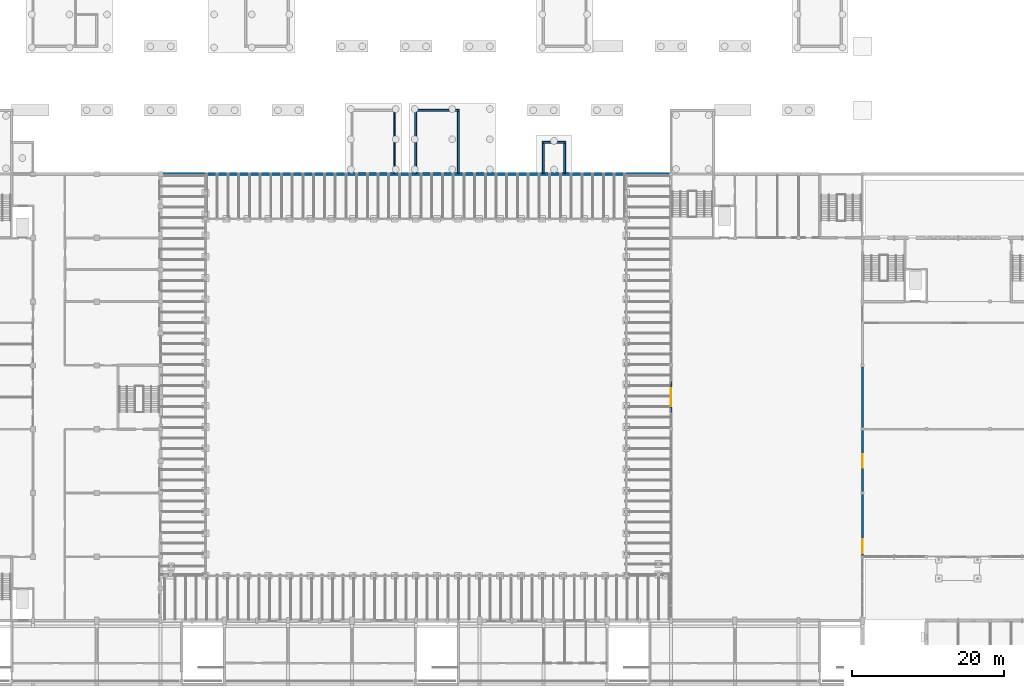
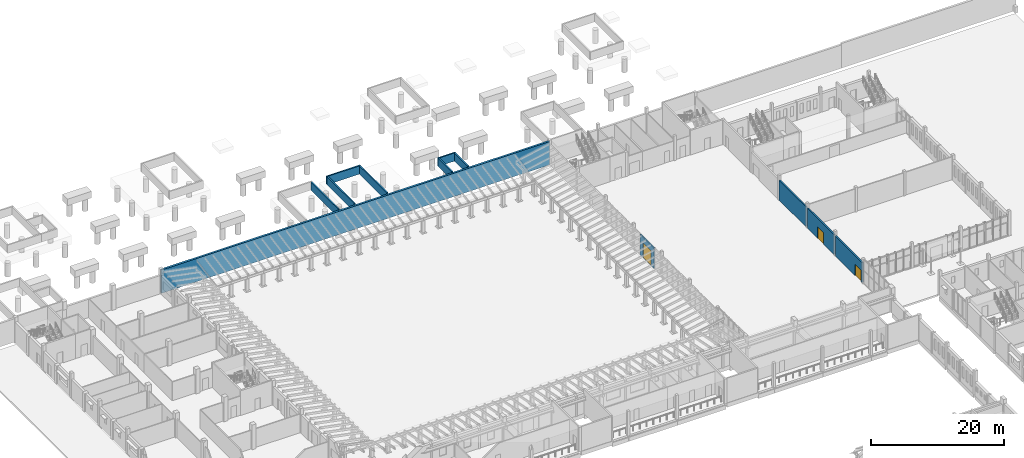
# One storey, part 43 of 60: 12 walls, 3 doors, 3 openings.
"""IFC4 building model written with IfcOpenShell, lengths in metres."""

from ifc_helpers import new_model, si_unit, direction, frame, frame_2d, origin, place, context, subcontext, project, spatial, rectangle, extrude, material, layer, layer_set, type_object, element, fill, save


model = new_model("IFC4")

# Units and contexts
model_context = context("Model", 3, precision=1e-05, world=origin(), true_north=direction((0.0, 1.0)))
body_context = subcontext(model_context, "Body", "Model", "MODEL_VIEW")
ifc_project = project(units=[si_unit("LENGTHUNIT", "METRE"), si_unit("AREAUNIT", "SQUARE_METRE"), si_unit("VOLUMEUNIT", "CUBIC_METRE"), si_unit("PLANEANGLEUNIT", "RADIAN"), si_unit("MASSUNIT", "GRAM", prefix="KILO")], contexts=[model_context])

# Site, building, storey
site_placement = place(None, origin())
site = spatial("IfcSite", under=ifc_project, at=site_placement, CompositionType="ELEMENT")
building_placement = place(site_placement, origin())
building = spatial("IfcBuilding", under=site, at=building_placement, Name="Fescue Hill Polytechnic", CompositionType="ELEMENT")
storey_placement = place(building_placement, frame((0.0, 0.0, 4.5)))
storey = spatial("IfcBuildingStorey", under=building, at=storey_placement, Name="L01", CompositionType="ELEMENT", Elevation=4.5)

# Walls
ifc_material_1 = material(Name="Concrete 40 MPa", Category="concrete")
ifc_layer_1 = layer(ifc_material_1, 0.25)
ifc_layer_set_1 = layer_set([ifc_layer_1], Name="Concrete 40 MPa")
wall_type_1 = type_object("IfcWallType", Name="Core wall 250", PredefinedType="SHEAR", material=ifc_layer_set_1)
wall_1_placement = place(storey_placement, frame((58.675048828125, 117.60009765625, 3.0), z_axis=(0.0, 0.0, 1.0), x_axis=(1.0, 0.0, 0.0)))
element("IfcWall", 1, at=wall_1_placement, inside=storey, type_object=wall_type_1, Name="FW-ST-V4b-1-2", PredefinedType="SHEAR", context=body_context, shape_type="SweptSolid", body=[
    extrude(rectangle(XDim=5.849853515625, YDim=0.25, at=frame_2d((2.9248046875, 0.0))), origin(), (0.0, 0.0, 1.0), 1.5),
])
for number, where, z_axis, x_axis, name in (
    (2, (58.800048828125, 109.324951171875, 3.0), (0.0, 0.0, 1.0), (0.0, 1.0, 0.0), "FW-ST-V4b-1-3"),
    (3, (64.39990234375, 109.324951171875, 3.0), (0.0, 0.0, 1.0), (0.0, 1.0, 0.0), "FW-ST-V4b-1-4"),
    (4, (56.0, 109.324951171875, 3.0), (0.0, 0.0, 1.0), (0.0, 1.0, 0.0), "FW-ST-V5-4-4"),
):
    element("IfcWall", number, at=place(storey_placement, frame(where, z_axis=z_axis, x_axis=x_axis)), inside=storey, type_object=wall_type_1, Name=name, PredefinedType="SHEAR", context=body_context, shape_type="SweptSolid", body=[
        extrude(rectangle(XDim=8.150146484375, YDim=0.25, at=frame_2d((4.0751953125, 0.0))), origin(), (0.0, 0.0, 1.0), 1.5),
    ])

# Wall, opening, door
ifc_material_2 = material(Name="Glass", Category="glass")
ifc_layer_2 = layer(ifc_material_2, 0.199951171875)
ifc_layer_set_2 = layer_set([ifc_layer_2], Name="Glass")
wall_type_2 = type_object("IfcWallType", Name="Entrance frame wall metal and glass 200", PredefinedType="SOLIDWALL", material=ifc_layer_set_2)
wall_2_placement = place(storey_placement, frame((92.39990234375, 81.89990234375, 0.0), z_axis=(0.0, 0.0, 1.0), x_axis=(0.0, -1.0, 0.0)))
wall_2 = element("IfcWall", 5, at=wall_2_placement, inside=storey, type_object=wall_type_2, Name="EW-L01-V6-4", PredefinedType="SOLIDWALL", context=body_context, shape_type="SweptSolid", body=[
    extrude(rectangle(XDim=4.199951171875, YDim=0.199951171875, at=frame_2d((2.10009765625, 0.0))), origin(), (0.0, 0.0, 1.0), 3.75),
])
opening_1_placement = place(wall_2_placement, frame((0.89990234375, 0.0, 0.0)))
opening_1 = element("IfcOpeningElement", 6, at=opening_1_placement, cuts=wall_2, Name="Opening D1011", PredefinedType="OPENING", context=body_context, shape_type="SweptSolid", body=[
    extrude(rectangle(XDim=2.39990234375, YDim=2.699951171875, at=frame_2d((1.199951171875, 1.35009765625))), frame((0.0, 0.10986328125, 0.0), z_axis=(0.0, -1.0, 0.0), x_axis=(1.0, 0.0, 0.0)), (0.0, 0.0, 1.0), 0.219970703125),
])
ifc_material_3 = material(Name="Aluminium and glass", Category="aluminium")
door_type_1 = type_object("IfcDoorType", Name="Door entrance glazed double 2400x2700", OperationType="DOUBLE_DOOR_SINGLE_SWING", PredefinedType="DOOR", material=ifc_material_3)
door_1_placement = place(opening_1_placement, origin())
door_1 = element("IfcDoor", 7, at=door_1_placement, inside=storey, type_object=door_type_1, Name="Door D1011", OperationType="SINGLE_SWING_LEFT", OverallHeight=2.699951171875, OverallWidth=2.39990234375, PredefinedType="DOOR", context=body_context, shape_type="SweptSolid", body=[
    extrude(rectangle(XDim=2.39990234375, YDim=2.699951171875, at=frame_2d((1.199951171875, 1.35009765625))), frame((0.0, 0.02490234375, 0.0), z_axis=(0.0, -1.0, 0.0), x_axis=(1.0, 0.0, 0.0)), (0.0, 0.0, 1.0), 0.050048828125),
])
fill(opening_1, door_1)

# Walls
ifc_layer_3 = layer(ifc_material_1, 0.25)
ifc_layer_set_3 = layer_set([ifc_layer_3], Name="Concrete 40 MPa")
wall_type_3 = type_object("IfcWallType", Name="Lift pit wall 250", PredefinedType="SHEAR", material=ifc_layer_set_3)
wall_3_placement = place(storey_placement, frame((75.47509765625, 113.39990234375, 3.0), z_axis=(0.0, 0.0, 1.0), x_axis=(1.0, 0.0, 0.0)))
element("IfcWall", 8, at=wall_3_placement, inside=storey, type_object=wall_type_3, Name="PW-L02-LF-V4b-1-2", PredefinedType="SHEAR", context=body_context, shape_type="SweptSolid", body=[
    extrude(rectangle(XDim=3.0498046875, YDim=0.25, at=frame_2d((1.52490234375, 0.0))), origin(), (0.0, 0.0, 1.0), 1.5),
])
for number, where, z_axis, x_axis, name in (
    (9, (75.60009765625, 109.324951171875, 3.0), (0.0, 0.0, 1.0), (0.0, 1.0, 0.0), "PW-L02-LF-V4b-1-3"),
    (10, (78.39990234375, 109.324951171875, 3.0), (0.0, 0.0, 1.0), (0.0, 1.0, 0.0), "PW-L02-LF-V4b-1-4"),
):
    element("IfcWall", number, at=place(storey_placement, frame(where, z_axis=z_axis, x_axis=x_axis)), inside=storey, type_object=wall_type_3, Name=name, PredefinedType="SHEAR", context=body_context, shape_type="SweptSolid", body=[
        extrude(rectangle(XDim=3.949951171875, YDim=0.25, at=frame_2d((1.97509765625, 0.0))), origin(), (0.0, 0.0, 1.0), 1.5),
    ])

# Wall, opening, door
ifc_material_4 = material(Name="Concrete 35 MPa", Category="concrete")
ifc_layer_4 = layer(ifc_material_4, 0.25)
ifc_layer_set_4 = layer_set([ifc_layer_4], Name="Concrete 35 MPa")
wall_type_4 = type_object("IfcWallType", Name="Party wall 250 concrete EI 120", PredefinedType="SOLIDWALL", material=ifc_layer_set_4)
wall_4_placement = place(storey_placement, frame((117.60009765625, 59.0, 0.0), z_axis=(0.0, 0.0, 1.0), x_axis=(0.0, 1.0, 0.0)))
wall_4 = element("IfcWall", 11, at=wall_4_placement, inside=storey, type_object=wall_type_4, Name="IW-L01-099", PredefinedType="SOLIDWALL", context=body_context, shape_type="SweptSolid", body=[
    extrude(rectangle(XDim=8.0, YDim=0.25, at=frame_2d((4.0, 0.0))), origin(), (0.0, 0.0, 1.0), 3.64990234375),
])
opening_2_placement = place(wall_4_placement, frame((0.300048828125, 0.0, 0.0)))
opening_2 = element("IfcOpeningElement", 12, at=opening_2_placement, cuts=wall_4, Name="Opening D1054", PredefinedType="OPENING", context=body_context, shape_type="SweptSolid", body=[
    extrude(rectangle(XDim=1.800048828125, YDim=2.10009765625, at=frame_2d((0.89990234375, 1.050048828125))), frame((0.0, 0.135009765625, 0.0), z_axis=(0.0, -1.0, 0.0), x_axis=(1.0, 0.0, 0.0)), (0.0, 0.0, 1.0), 0.27001953125),
])
ifc_material_5 = material(Name="Steel", Category="steel")
door_type_2 = type_object("IfcDoorType", Name="Door double swing 1800x2100 FD90", OperationType="DOUBLE_DOOR_SINGLE_SWING", PredefinedType="DOOR", material=ifc_material_5)
door_2_placement = place(opening_2_placement, origin())
door_2 = element("IfcDoor", 13, at=door_2_placement, inside=storey, type_object=door_type_2, Name="Door D1054", OperationType="DOUBLE_DOOR_SINGLE_SWING", OverallHeight=2.10009765625, OverallWidth=1.800048828125, PredefinedType="DOOR", context=body_context, shape_type="SweptSolid", body=[
    extrude(rectangle(XDim=1.800048828125, YDim=2.10009765625, at=frame_2d((0.89990234375, 1.050048828125))), frame((0.0, 0.02490234375, 0.0), z_axis=(0.0, -1.0, 0.0), x_axis=(1.0, 0.0, 0.0)), (0.0, 0.0, 1.0), 0.050048828125),
])
fill(opening_2, door_2)

wall_5_placement = place(storey_placement, frame((117.60009765625, 67.39990234375, 0.0), z_axis=(0.0, 0.0, 1.0), x_axis=(0.0, 1.0, 0.0)))
wall_5 = element("IfcWall", 14, at=wall_5_placement, inside=storey, type_object=wall_type_4, Name="IW-L01-100", PredefinedType="SOLIDWALL", context=body_context, shape_type="SweptSolid", body=[
    extrude(rectangle(XDim=8.0, YDim=0.25, at=frame_2d((4.0, 0.0))), origin(), (0.0, 0.0, 1.0), 3.64990234375),
])
opening_3_placement = place(wall_5_placement, frame((3.10009765625, 0.0, 0.0)))
opening_3 = element("IfcOpeningElement", 15, at=opening_3_placement, cuts=wall_5, Name="Opening D1053", PredefinedType="OPENING", context=body_context, shape_type="SweptSolid", body=[
    extrude(rectangle(XDim=1.800048828125, YDim=2.10009765625, at=frame_2d((0.89990234375, 1.050048828125))), frame((0.0, 0.135009765625, 0.0), z_axis=(0.0, -1.0, 0.0), x_axis=(1.0, 0.0, 0.0)), (0.0, 0.0, 1.0), 0.27001953125),
])
door_3_placement = place(opening_3_placement, origin())
door_3 = element("IfcDoor", 16, at=door_3_placement, inside=storey, type_object=door_type_2, Name="Door D1053", OperationType="DOUBLE_DOOR_SINGLE_SWING", OverallHeight=2.10009765625, OverallWidth=1.800048828125, PredefinedType="DOOR", context=body_context, shape_type="SweptSolid", body=[
    extrude(rectangle(XDim=1.800048828125, YDim=2.10009765625, at=frame_2d((0.89990234375, 1.050048828125))), frame((0.0, 0.02490234375, 0.0), z_axis=(0.0, -1.0, 0.0), x_axis=(1.0, 0.0, 0.0)), (0.0, 0.0, 1.0), 0.050048828125),
])
fill(opening_3, door_3)

# Walls
wall_6_placement = place(storey_placement, frame((117.60009765625, 75.800048828125, 0.0), z_axis=(0.0, 0.0, 1.0), x_axis=(0.0, 1.0, 0.0)))
element("IfcWall", 17, at=wall_6_placement, inside=storey, type_object=wall_type_4, Name="IW-L01-101", PredefinedType="SOLIDWALL", context=body_context, shape_type="SweptSolid", body=[
    extrude(rectangle(XDim=8.0, YDim=0.25, at=frame_2d((4.0, 0.0))), origin(), (0.0, 0.0, 1.0), 3.64990234375),
])
ifc_layer_5 = layer(ifc_material_4, 0.35009765625)
ifc_layer_set_5 = layer_set([ifc_layer_5], Name="Concrete 35 MPa")
wall_type_5 = type_object("IfcWallType", Name="Retaining wall 350", PredefinedType="SOLIDWALL", material=ifc_layer_set_5)
wall_7_placement = place(storey_placement, frame((25.199951171875, 109.199951171875, 0.0), z_axis=(0.0, 0.0, 1.0), x_axis=(1.0, 0.0, 0.0)))
element("IfcWall", 18, at=wall_7_placement, inside=storey, type_object=wall_type_5, Name="RT-RW3", PredefinedType="SOLIDWALL", context=body_context, shape_type="SweptSolid", body=[
    extrude(rectangle(XDim=67.199951171875, YDim=0.35009765625, at=frame_2d((33.60009765625, 0.0))), origin(), (0.0, 0.0, 1.0), 4.25),
])

save(model, "model.ifc")
